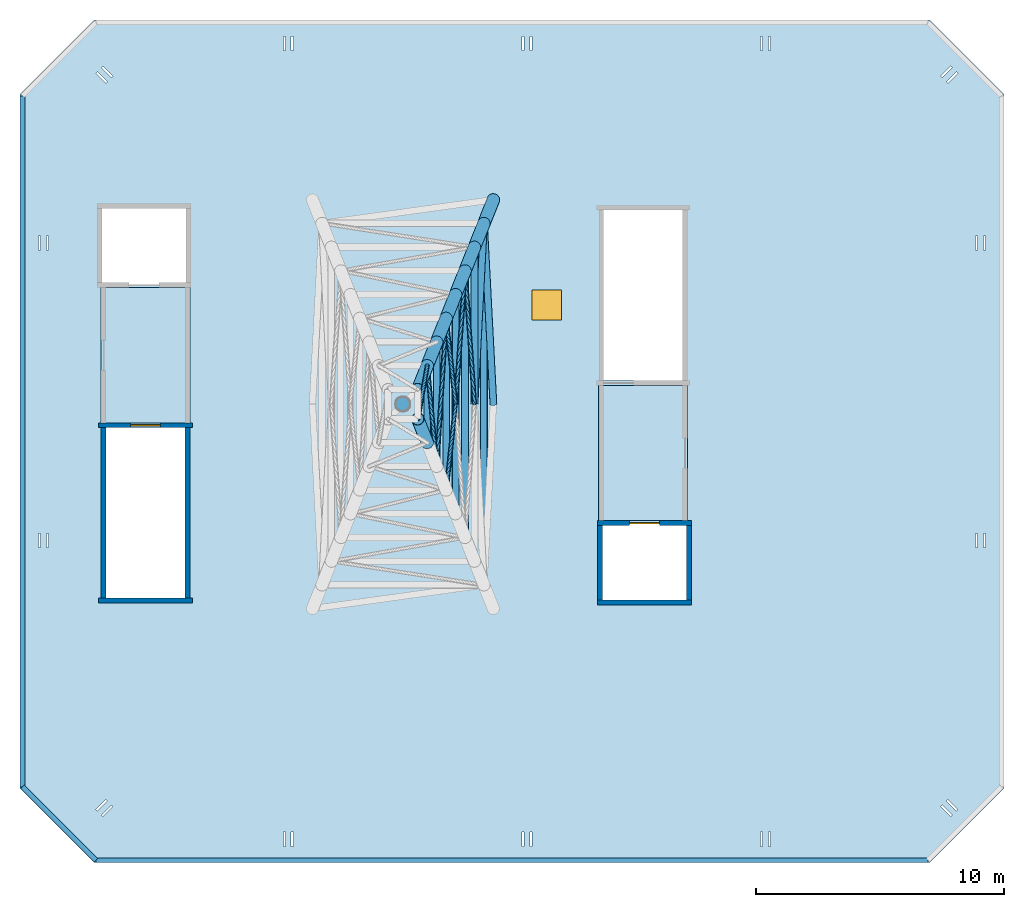
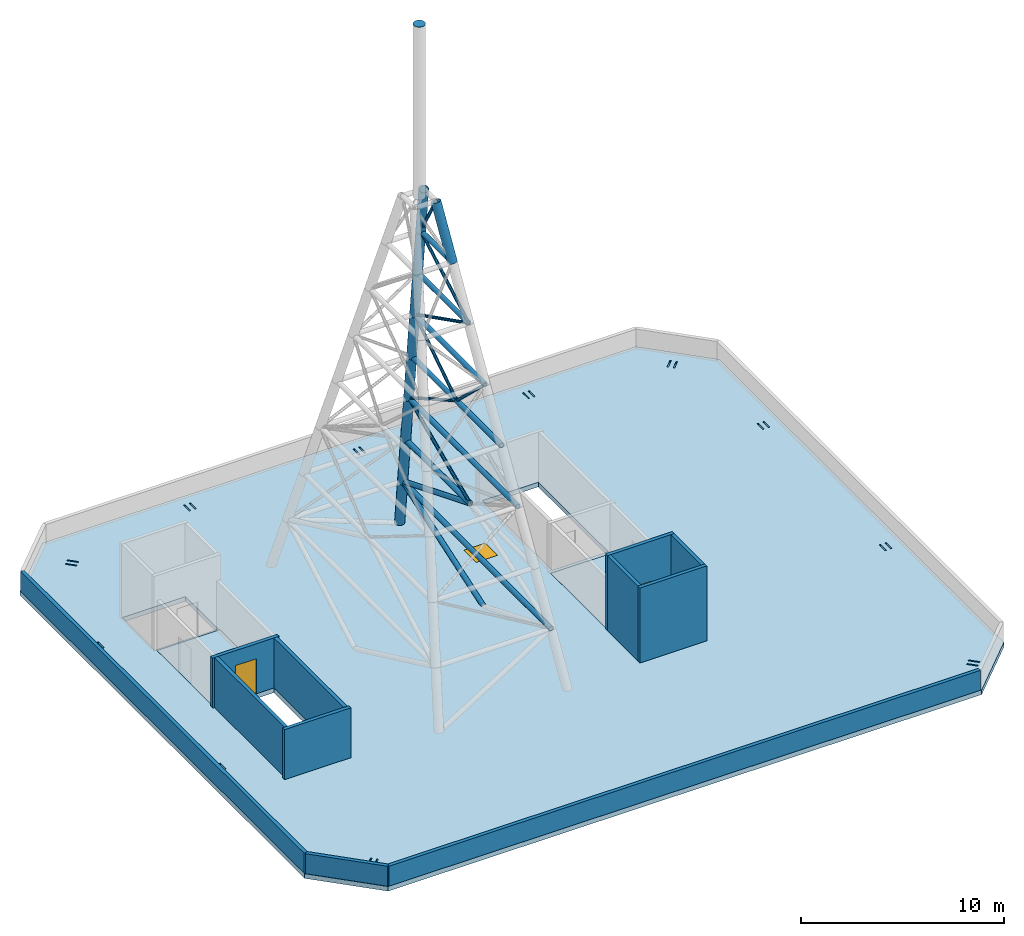
# One storey, part 2 of 3: 27 members, 11 walls, 3 slabs, 2 doors, 1 window, 3 openings.
"""IFC4 building model written with IfcOpenShell, lengths in metres."""

import ifcopenshell
import ifcopenshell.guid

model = None  # the IFC model being written
_history = None  # IfcOwnerHistory: only IFC2X3 demands one
_inside = {}  # id of a spatial element -> (the spatial element, [elements in it])
_under = {}  # id of a project, library or spatial element -> (it, [spatial elements below it])
_declared = {}  # id of a project -> (the project, [libraries it declares])
_typed = {}  # id of a type object -> (the type object, [elements of that type])
_made_of = {}  # id of a material, layer set ... -> (it, [elements and type objects made of it])


def new_model(schema):
    """Start an empty IFC model of exactly this schema.

    Asked for "IFC4X3", IfcOpenShell would pick the latest addendum, in which some entities
    have other attributes; the version numbers below select the first issue.
    IFC2X3 requires an IfcOwnerHistory on every rooted entity: one is made here for all.
    """
    global model, _history
    if schema == "IFC4X3":
        model = ifcopenshell.file(schema_version=(4, 3, 0, 0))
    else:
        model = ifcopenshell.file(schema=schema)
    _inside.clear()
    _under.clear()
    _declared.clear()
    _typed.clear()
    _made_of.clear()
    _history = None
    if model.schema == "IFC2X3":
        org = make("IfcOrganization", Name="unknown")
        user = make(
            "IfcPersonAndOrganization",
            ThePerson=make("IfcPerson", FamilyName="unknown"),
            TheOrganization=org,
        )
        app = make(
            "IfcApplication",
            ApplicationDeveloper=org,
            Version="unknown",
            ApplicationFullName="unknown",
            ApplicationIdentifier="unknown",
        )
        _history = make(
            "IfcOwnerHistory",
            OwningUser=user,
            OwningApplication=app,
            ChangeAction="ADDED",
            CreationDate=0,
        )
    return model


def make(cls, **values):
    """One entity of the class cls with the attributes given. An attribute that is None is left unset."""
    return model.create_entity(
        cls, **{name: value for name, value in values.items() if value is not None}
    )


def rooted(cls, **values):
    """An entity with a GlobalId (a new one), such as an element, a storey or a relation."""
    return make(cls, GlobalId=ifcopenshell.guid.new(), OwnerHistory=_history, **values)


def si_unit(unit_type, name, prefix=None):
    """IfcSIUnit, for example si_unit("LENGTHUNIT", "METRE", prefix="MILLI")."""
    return make("IfcSIUnit", UnitType=unit_type, Prefix=prefix, Name=name)


def assignment(units):
    """IfcUnitAssignment: the units of a project."""
    return None if units is None else make("IfcUnitAssignment", Units=units)


def point(xyz):
    """IfcCartesianPoint."""
    return None if xyz is None else make("IfcCartesianPoint", Coordinates=xyz)


def direction(xyz):
    """IfcDirection."""
    return None if xyz is None else make("IfcDirection", DirectionRatios=xyz)


def frame(location, z_axis=None, x_axis=None):
    """IfcAxis2Placement3D, a coordinate frame: its origin and axes. An axis left out is left unset."""
    return make(
        "IfcAxis2Placement3D",
        Location=point(location),
        Axis=direction(z_axis),
        RefDirection=direction(x_axis),
    )


def frame_2d(location, x_axis=None):
    """IfcAxis2Placement2D, a coordinate frame in the plane: its origin and x axis."""
    return make(
        "IfcAxis2Placement2D", Location=point(location), RefDirection=direction(x_axis)
    )


def origin():
    """The frame at (0, 0, 0) with its axes left unset."""
    return frame((0.0, 0.0, 0.0))


def origin_2d():
    """The frame at (0, 0) in the plane with its x axis left unset."""
    return frame_2d((0.0, 0.0))


def place(relative_to, where):
    """IfcLocalPlacement: puts the frame where relative to a parent placement (None: the world)."""
    return make(
        "IfcLocalPlacement", PlacementRelTo=relative_to, RelativePlacement=where
    )


def context(
    kind, dimensions, precision=None, world=None, true_north=None, identifier=None
):
    """IfcGeometricRepresentationContext, for example the 3D "Model" context."""
    return make(
        "IfcGeometricRepresentationContext",
        ContextIdentifier=identifier,
        ContextType=kind,
        CoordinateSpaceDimension=dimensions,
        Precision=precision,
        WorldCoordinateSystem=world,
        TrueNorth=true_north,
    )


def subcontext(parent, identifier, kind, view, scale=None):
    """IfcGeometricRepresentationSubContext, for example "Body" below "Model"."""
    return make(
        "IfcGeometricRepresentationSubContext",
        ContextIdentifier=identifier,
        ContextType=kind,
        ParentContext=parent,
        TargetScale=scale,
        TargetView=view,
    )


def project(units=None, contexts=None):
    """IfcProject with its units and contexts."""
    return rooted(
        "IfcProject",
        Name="project",
        RepresentationContexts=contexts,
        UnitsInContext=assignment(units),
    )


def spatial(cls, under=None, at=None, **own):
    """A site, building, storey or space (cls), placed at a placement, below another one or the project."""
    s = rooted(cls, ObjectPlacement=at, **own)
    if under is not None:
        _under.setdefault(under.id(), (under, []))[1].append(s)
    return s


def polyline(points):
    """IfcPolyline through the points."""
    return make("IfcPolyline", Points=[point(p) for p in points])


def profile(cls, at=None, kind="AREA", **sizes):
    """A parametric profile (cls). Its sizes go by their IFC names, for example OverallWidth=200.0."""
    return make(cls, ProfileType=kind, Position=at, **sizes)


def rectangle(**sizes):
    """IfcRectangleProfileDef."""
    return profile("IfcRectangleProfileDef", **sizes)


def circle(**sizes):
    """IfcCircleProfileDef."""
    return profile("IfcCircleProfileDef", **sizes)


def hollow_circle(**sizes):
    """IfcCircleHollowProfileDef."""
    return profile("IfcCircleHollowProfileDef", **sizes)


def outline(outer, holes=None, kind="AREA"):
    """IfcArbitraryClosedProfileDef: a profile drawn as a closed curve; with holes, ...WithVoids."""
    if holes is None:
        return make("IfcArbitraryClosedProfileDef", ProfileType=kind, OuterCurve=outer)
    return make(
        "IfcArbitraryProfileDefWithVoids",
        ProfileType=kind,
        OuterCurve=outer,
        InnerCurves=holes,
    )


def extrude(swept, where, along, depth):
    """IfcExtrudedAreaSolid: the profile swept, set in the frame where, extruded along a direction by depth."""
    return make(
        "IfcExtrudedAreaSolid",
        SweptArea=swept,
        Position=where,
        ExtrudedDirection=direction(along),
        Depth=depth,
    )


def shape(context_of_items, identifier, shape_type, items):
    """IfcShapeRepresentation: the items that make up one representation, for example the "Body"."""
    return make(
        "IfcShapeRepresentation",
        ContextOfItems=context_of_items,
        RepresentationIdentifier=identifier,
        RepresentationType=shape_type,
        Items=items,
    )


def material(Name=None, Category=None):
    """IfcMaterial."""
    return make("IfcMaterial", Name=Name, Category=Category)


def layer(
    of_material, thickness, ventilated=None, Name=None, Category=None, Priority=None
):
    """IfcMaterialLayer: one layer of a wall or slab, of a material (None: an air gap)."""
    return make(
        "IfcMaterialLayer",
        Material=of_material,
        LayerThickness=thickness,
        IsVentilated=ventilated,
        Name=Name,
        Category=Category,
        Priority=Priority,
    )


def layer_set(layers, Name=None):
    """IfcMaterialLayerSet."""
    return make("IfcMaterialLayerSet", MaterialLayers=layers, LayerSetName=Name)


def constituent(of_material, Name=None, Category=None, fraction=None):
    """IfcMaterialConstituent: one of the materials an element consists of."""
    return make(
        "IfcMaterialConstituent",
        Name=Name,
        Material=of_material,
        Fraction=fraction,
        Category=Category,
    )


def constituent_set(constituents=None, Name=None):
    """IfcMaterialConstituentSet."""
    return make(
        "IfcMaterialConstituentSet", Name=Name, MaterialConstituents=constituents
    )


def material_profile(
    of_material, cross_section, Name=None, Category=None, Priority=None
):
    """IfcMaterialProfile: a cross section and its material."""
    return make(
        "IfcMaterialProfile",
        Name=Name,
        Material=of_material,
        Profile=cross_section,
        Priority=Priority,
        Category=Category,
    )


def profile_set(profiles, Name=None, composite=None):
    """IfcMaterialProfileSet."""
    return make(
        "IfcMaterialProfileSet",
        Name=Name,
        MaterialProfiles=profiles,
        CompositeProfile=composite,
    )


def made_of(thing, what):
    """Note that an element or type object is made of a material, layer set ...; save() writes the relation."""
    if what is not None:
        _made_of.setdefault(what.id(), (what, []))[1].append(thing)
    return thing


def type_object(cls, material=None, **own):
    """A type object (cls), such as IfcWallType, which elements share."""
    return made_of(rooted(cls, **own), material)


def element(
    cls,
    number,
    at=None,
    inside=None,
    cuts=None,
    type_object=None,
    material=None,
    context=None,
    identifier="Body",
    shape_type=None,
    held_by="IfcProductDefinitionShape",
    body=None,
    shapes=None,
    **own,
):
    """One element of the class cls, such as IfcWall. Its Tag is "e" and its number.

    at: its placement. inside: the storey or other place that contains it. cuts: it is an
    opening in that element (IfcRelVoidsElement). A single representation is given by context,
    identifier, shape_type and body (its items); several are given by shapes. held_by: the class
    of the entity that holds the representations. save() writes the other relations.
    """
    e = rooted(cls, Tag="e%d" % number, ObjectPlacement=at, **own)
    if body is not None:
        shapes = [shape(context, identifier, shape_type, body)]
    if shapes is not None:
        e.Representation = make(held_by, Representations=shapes)
    if inside is not None:
        _inside.setdefault(inside.id(), (inside, []))[1].append(e)
    if cuts is not None:
        rooted(
            "IfcRelVoidsElement", RelatingBuildingElement=cuts, RelatedOpeningElement=e
        )
    if type_object is not None:
        _typed.setdefault(type_object.id(), (type_object, []))[1].append(e)
    return made_of(e, material)


def fill(opening, filler):
    """IfcRelFillsElement: the door or window that sits in an opening."""
    return rooted(
        "IfcRelFillsElement",
        RelatingOpeningElement=opening,
        RelatedBuildingElement=filler,
    )


def aggregate(whole, parts):
    """IfcRelAggregates: a whole, such as a stair, and the parts it consists of."""
    return rooted("IfcRelAggregates", RelatingObject=whole, RelatedObjects=parts)


def save(model, path):
    """Write the relations noted so far, then the file.

    IfcRelAggregates (storeys below a building ...), IfcRelContainedInSpatialStructure (elements
    in a storey), IfcRelDefinesByType, IfcRelAssociatesMaterial and IfcRelDeclares: one each for
    every whole, place, type object, material and project.
    """
    for whole, parts in _under.values():
        aggregate(whole, parts)
    for where, things in _inside.values():
        rooted(
            "IfcRelContainedInSpatialStructure",
            RelatedElements=things,
            RelatingStructure=where,
        )
    for kind, things in _typed.values():
        rooted("IfcRelDefinesByType", RelatedObjects=things, RelatingType=kind)
    for what, things in _made_of.values():
        rooted("IfcRelAssociatesMaterial", RelatedObjects=things, RelatingMaterial=what)
    for by, libraries in _declared.values():
        rooted("IfcRelDeclares", RelatingContext=by, RelatedDefinitions=libraries)
    model.write(path)


model = new_model("IFC4")

# Units and contexts
model_context = context("Model", 3, precision=1e-05, world=origin(), true_north=direction((0.0, 1.0)))
body_context = subcontext(model_context, "Body", "Model", "MODEL_VIEW")
ifc_project = project(units=[si_unit("LENGTHUNIT", "METRE"), si_unit("AREAUNIT", "SQUARE_METRE"), si_unit("VOLUMEUNIT", "CUBIC_METRE"), si_unit("PLANEANGLEUNIT", "RADIAN"), si_unit("MASSUNIT", "GRAM", prefix="KILO")], contexts=[model_context])

# Site, building, storey
site_placement = place(None, origin())
site = spatial("IfcSite", under=ifc_project, at=site_placement, CompositionType="ELEMENT")
building_placement = place(site_placement, origin())
building = spatial("IfcBuilding", under=site, at=building_placement, Name="Jalousie Tower", CompositionType="ELEMENT")
storey_placement = place(building_placement, frame((0.0, 0.0, 277.75)))
storey = spatial("IfcBuildingStorey", under=building, at=storey_placement, Name="RF", CompositionType="ELEMENT", Elevation=277.75)

# Members
ifc_material_1 = material(Name="Steel ASTM A572 Grade 50 plate", Category="steel")
ifc_material_profile_1 = material_profile(ifc_material_1, circle(Radius=0.3046875, at=origin_2d()), Name="END PLATE D610x20")
ifc_profile_set_1 = profile_set([ifc_material_profile_1], Name="Steel ASTM A572 Grade 50 plate")
member_type_1 = type_object("IfcMemberType", Name="END PLATE D610x20", PredefinedType="MEMBER", material=ifc_profile_set_1)
member_1_placement = place(storey_placement, frame((32.25, 18.5, 36.199951171875), z_axis=(0.0, 0.0, 1.0), x_axis=(1.0, 0.0, 0.0)))
element("IfcMember", 1, at=member_1_placement, inside=storey, type_object=member_type_1, Name="Spire mast cap plate", PredefinedType="MEMBER", context=body_context, shape_type="SweptSolid", body=[
    extrude(circle(Radius=0.3046875, at=origin_2d()), origin(), (0.0, 0.0, 1.0), 0.02001953125),
])
ifc_material_2 = material(Name="Steel ASTM A500 Grade C", Category="steel")
ifc_material_profile_2 = material_profile(ifc_material_2, hollow_circle(Radius=0.136474609375, WallThickness=0.0126953125, at=origin_2d()), Name="HSS10.750X0.500")
ifc_profile_set_2 = profile_set([ifc_material_profile_2], Name="Steel ASTM A500 Grade C")
member_type_2 = type_object("IfcMemberType", Name="SPIRE BRACE HSS10.750X0.500", PredefinedType="BRACE", material=ifc_profile_set_2)
for number, where, z_axis, x_axis, name in (
    (2, (35.89990234375, 18.5, -0.02587890625), (-0.047749788105, 0.913853247694, 0.403227230497), (-0.99863770294, -0.052179864579, 0.0), "Spire brace 1 face 2"),
    (3, (35.518798828125, 25.793701171875, 3.1923828125), (-0.047780896853, -0.913863184042, 0.403201025234), (0.998635960535, -0.052213200681, 0.0), "Spire brace 2 face 2"),
):
    element("IfcMember", number, at=place(storey_placement, frame(where, z_axis=z_axis, x_axis=x_axis)), inside=storey, type_object=member_type_2, Name=name, PredefinedType="BRACE", context=body_context, shape_type="SweptSolid", body=[
        extrude(hollow_circle(Radius=0.136474609375, WallThickness=0.0126953125, at=origin_2d()), origin(), (0.0, 0.0, 1.0), 7.981201171875),
    ])
ifc_material_3 = material(Name="Steel ASTM A500 Grade C", Category="steel")
ifc_material_profile_3 = material_profile(ifc_material_3, hollow_circle(Radius=0.084228515625, WallThickness=0.007080078125, at=origin_2d()), Name="HSS6.625X0.280")
ifc_profile_set_3 = profile_set([ifc_material_profile_3], Name="Steel ASTM A500 Grade C")
member_type_3 = type_object("IfcMemberType", Name="SPIRE BRACE HSS6.625X0.280", PredefinedType="BRACE", material=ifc_profile_set_3)
member_2_placement = place(storey_placement, frame((35.137451171875, 18.5, 6.410400390625), z_axis=(-0.060666415195, 0.85663620995, 0.512341672978), x_axis=(-0.997501703705, -0.07064241718, 0.0)))
element("IfcMember", 4, at=member_2_placement, inside=storey, type_object=member_type_3, Name="Spire brace 3 face 2", PredefinedType="BRACE", context=body_context, shape_type="SweptSolid", body=[
    extrude(hollow_circle(Radius=0.084228515625, WallThickness=0.007080078125, at=origin_2d()), origin(), (0.0, 0.0, 1.0), 6.281982421875),
])
member_3_placement = place(storey_placement, frame((34.75634765625, 23.88134765625, 9.62890625), z_axis=(-0.060707553255, -0.856668302716, 0.512283136653), x_axis=(0.997498513792, -0.070687445719, 0.0)))
element("IfcMember", 5, at=member_3_placement, inside=storey, type_object=member_type_3, Name="Spire brace 4 face 2", PredefinedType="BRACE", context=body_context, shape_type="SweptSolid", body=[
    extrude(hollow_circle(Radius=0.084228515625, WallThickness=0.007080078125, at=origin_2d()), origin(), (0.0, 0.0, 1.0), 6.28173828125),
])
for number, where, z_axis, x_axis, name in (
    (6, (34.375, 18.5, 12.846923828125), (-0.080332935839, -0.730710853006, 0.677944148672), (0.994011045369, -0.109279648991, 0.0), "Spire brace 5 face 2"),
    (7, (34.375, 18.5, 12.846923828125), (-0.080332935839, 0.730710853006, 0.677944148672), (-0.994011045369, -0.109279648991, 0.0), "Spire brace 5 face 2"),
):
    element("IfcMember", number, at=place(storey_placement, frame(where, z_axis=z_axis, x_axis=x_axis)), inside=storey, type_object=member_type_3, Name=name, PredefinedType="BRACE", context=body_context, shape_type="SweptSolid", body=[
        extrude(hollow_circle(Radius=0.084228515625, WallThickness=0.007080078125, at=origin_2d()), origin(), (0.0, 0.0, 1.0), 4.7470703125),
    ])
member_4_placement = place(storey_placement, frame((33.99365234375, 21.96875, 16.065185546875), z_axis=(-0.056022094751, -0.879234656832, 0.473083442033), x_axis=(0.997976239224, -0.063587938668, 0.0)))
element("IfcMember", 8, at=member_4_placement, inside=storey, type_object=member_type_3, Name="Spire brace 6 face 2", PredefinedType="BRACE", context=body_context, shape_type="SweptSolid", body=[
    extrude(hollow_circle(Radius=0.084228515625, WallThickness=0.007080078125, at=origin_2d()), origin(), (0.0, 0.0, 1.0), 6.802734375),
])
member_5_placement = place(storey_placement, frame((33.612548828125, 15.987548828125, 19.283447265625), z_axis=(-0.07331147969, 0.782208143731, 0.618688812592), x_axis=(-0.995636654672, -0.093314799868, 0.0)))
element("IfcMember", 9, at=member_5_placement, inside=storey, type_object=member_type_3, Name="Spire brace 7 face 2", PredefinedType="BRACE", context=body_context, shape_type="SweptSolid", body=[
    extrude(hollow_circle(Radius=0.084228515625, WallThickness=0.007080078125, at=origin_2d()), origin(), (0.0, 0.0, 1.0), 5.20166015625),
])
member_6_placement = place(storey_placement, frame((33.231201171875, 20.056396484375, 22.501708984375), z_axis=(-0.097902742224, -0.553987778388, 0.826748204994), x_axis=(0.984740880805, -0.17402700271, 0.0)))
element("IfcMember", 10, at=member_6_placement, inside=storey, type_object=member_type_3, Name="Spire brace 8 face 2", PredefinedType="BRACE", context=body_context, shape_type="SweptSolid", body=[
    extrude(hollow_circle(Radius=0.084228515625, WallThickness=0.007080078125, at=origin_2d()), origin(), (0.0, 0.0, 1.0), 3.892578125),
])
ifc_material_4 = material(Name="Steel ASTM A500 Grade C", Category="steel")
ifc_material_profile_4 = material_profile(ifc_material_4, hollow_circle(Radius=0.25390625, WallThickness=0.0126953125, at=origin_2d()), Name="HSS20X0.500")
ifc_profile_set_4 = profile_set([ifc_material_profile_4], Name="Steel ASTM A500 Grade C")
member_type_4 = type_object("IfcMemberType", Name="SPIRE LEG HSS20X0.500", PredefinedType="MEMBER", material=ifc_profile_set_4)
member_7_placement = place(storey_placement, frame((35.89990234375, 26.75, -0.02587890625), z_axis=(-0.112789272308, -0.283020871, 0.95245880049), x_axis=(0.928950250882, -0.370204580451, 0.0)))
element("IfcMember", 11, at=member_7_placement, inside=storey, type_object=member_type_4, Name="Spire leg 3 panel 1", PredefinedType="MEMBER", context=body_context, shape_type="SweptSolid", body=[
    extrude(hollow_circle(Radius=0.25390625, WallThickness=0.0126953125, at=origin_2d()), origin(), (0.0, 0.0, 1.0), 3.37890625),
])
member_8_placement = place(storey_placement, frame((35.518798828125, 25.793701171875, 3.1923828125), z_axis=(-0.112868374138, -0.283038041933, 0.952444327474), x_axis=(0.928868676272, -0.370409209174, 0.0)))
element("IfcMember", 12, at=member_8_placement, inside=storey, type_object=member_type_4, Name="Spire leg 3 panel 2", PredefinedType="MEMBER", context=body_context, shape_type="SweptSolid", body=[
    extrude(hollow_circle(Radius=0.25390625, WallThickness=0.0126953125, at=origin_2d()), origin(), (0.0, 0.0, 1.0), 3.378662109375),
])
member_9_placement = place(storey_placement, frame((35.137451171875, 24.83740234375, 6.410400390625), z_axis=(-0.112783816509, -0.28293492982, 0.952484979525), x_axis=(0.928917737212, -0.370286156228, 0.0)))
element("IfcMember", 13, at=member_9_placement, inside=storey, type_object=member_type_4, Name="Spire leg 3 panel 3", PredefinedType="MEMBER", context=body_context, shape_type="SweptSolid", body=[
    extrude(hollow_circle(Radius=0.25390625, WallThickness=0.0126953125, at=origin_2d()), origin(), (0.0, 0.0, 1.0), 3.379150390625),
])
member_10_placement = place(storey_placement, frame((34.75634765625, 23.88134765625, 9.62890625), z_axis=(-0.112868374138, -0.283038041933, 0.952444327474), x_axis=(0.928868676272, -0.370409209174, 0.0)))
element("IfcMember", 14, at=member_10_placement, inside=storey, type_object=member_type_4, Name="Spire leg 3 panel 4", PredefinedType="MEMBER", context=body_context, shape_type="SweptSolid", body=[
    extrude(hollow_circle(Radius=0.25390625, WallThickness=0.0126953125, at=origin_2d()), origin(), (0.0, 0.0, 1.0), 3.378662109375),
])
for number, where, z_axis, x_axis, name in (
    (15, (34.375, 22.925048828125, 12.846923828125), (-0.112860606755, -0.283018563801, 0.952451036005), (0.928868676272, -0.370409209174, 0.0), "Spire leg 3 panel 5"),
    (16, (33.99365234375, 21.96875, 16.065185546875), (-0.112789272308, -0.283020871, 0.95245880049), (0.928950250882, -0.370204580451, 0.0), "Spire leg 3 panel 6"),
    (17, (33.612548828125, 21.012451171875, 19.283447265625), (-0.11286291444, -0.282952095356, 0.952470510976), (0.928836129508, -0.370490815703, 0.0), "Spire leg 3 panel 7"),
    (18, (33.231201171875, 16.943603515625, 22.501708984375), (-0.112789272308, 0.283020871, 0.95245880049), (-0.928950250882, -0.370204580451, 0.0), "Spire leg 2 panel 8"),
    (19, (33.231201171875, 20.056396484375, 22.501708984375), (-0.112789272308, -0.283020871, 0.95245880049), (0.928950250882, -0.370204580451, 0.0), "Spire leg 3 panel 8"),
):
    element("IfcMember", number, at=place(storey_placement, frame(where, z_axis=z_axis, x_axis=x_axis)), inside=storey, type_object=member_type_4, Name=name, PredefinedType="MEMBER", context=body_context, shape_type="SweptSolid", body=[
        extrude(hollow_circle(Radius=0.25390625, WallThickness=0.0126953125, at=origin_2d()), origin(), (0.0, 0.0, 1.0), 3.37890625),
    ])
ifc_material_5 = material(Name="Steel ASTM A500 Grade C", Category="steel")
ifc_material_profile_5 = material_profile(ifc_material_5, hollow_circle(Radius=0.136474609375, WallThickness=0.0126953125, at=origin_2d()), Name="HSS10.750X0.500")
ifc_profile_set_5 = profile_set([ifc_material_profile_5], Name="Steel ASTM A500 Grade C")
member_type_5 = type_object("IfcMemberType", Name="SPIRE RING HSS10.750X0.500", PredefinedType="STRUT", material=ifc_profile_set_5)
member_11_placement = place(storey_placement, frame((35.518798828125, 11.206298828125, 3.1923828125), z_axis=(0.0, 1.0, 0.0), x_axis=(-1.0, 0.0, 0.0)))
element("IfcMember", 20, at=member_11_placement, inside=storey, type_object=member_type_5, Name="Spire ring 1 side 2", PredefinedType="STRUT", context=body_context, shape_type="SweptSolid", body=[
    extrude(hollow_circle(Radius=0.136474609375, WallThickness=0.0126953125, at=origin_2d()), origin(), (0.0, 0.0, 1.0), 14.58740234375),
])
member_12_placement = place(storey_placement, frame((35.137451171875, 18.5, 6.410400390625), z_axis=(0.0, 1.0, 0.0), x_axis=(-1.0, 0.0, 0.0)))
element("IfcMember", 21, at=member_12_placement, inside=storey, type_object=member_type_5, Name="Spire ring 2 side 2", PredefinedType="STRUT", context=body_context, shape_type="SweptSolid", body=[
    extrude(hollow_circle(Radius=0.136474609375, WallThickness=0.0126953125, at=origin_2d()), origin(), (0.0, 0.0, 1.0), 6.33740234375),
])
member_13_placement = place(storey_placement, frame((34.75634765625, 13.11865234375, 9.62890625), z_axis=(0.0, 1.0, 0.0), x_axis=(-1.0, 0.0, 0.0)))
element("IfcMember", 22, at=member_13_placement, inside=storey, type_object=member_type_5, Name="Spire ring 3 side 2", PredefinedType="STRUT", context=body_context, shape_type="SweptSolid", body=[
    extrude(hollow_circle(Radius=0.136474609375, WallThickness=0.0126953125, at=origin_2d()), origin(), (0.0, 0.0, 1.0), 10.7626953125),
])
for number, where, z_axis, x_axis, name in (
    (23, (34.375, 14.074951171875, 12.846923828125), (0.0, 1.0, 0.0), (-1.0, 0.0, 0.0), "Spire ring 4 side 2"),
    (24, (34.375, 18.5, 12.846923828125), (0.0, 1.0, 0.0), (-1.0, 0.0, 0.0), "Spire ring 4 side 2"),
):
    element("IfcMember", number, at=place(storey_placement, frame(where, z_axis=z_axis, x_axis=x_axis)), inside=storey, type_object=member_type_5, Name=name, PredefinedType="STRUT", context=body_context, shape_type="SweptSolid", body=[
        extrude(hollow_circle(Radius=0.136474609375, WallThickness=0.0126953125, at=origin_2d()), origin(), (0.0, 0.0, 1.0), 4.425048828125),
    ])
member_14_placement = place(storey_placement, frame((33.99365234375, 15.03125, 16.065185546875), z_axis=(0.0, 1.0, 0.0), x_axis=(-1.0, 0.0, 0.0)))
element("IfcMember", 25, at=member_14_placement, inside=storey, type_object=member_type_5, Name="Spire ring 5 side 2", PredefinedType="STRUT", context=body_context, shape_type="SweptSolid", body=[
    extrude(hollow_circle(Radius=0.136474609375, WallThickness=0.0126953125, at=origin_2d()), origin(), (0.0, 0.0, 1.0), 6.9375),
])
member_15_placement = place(storey_placement, frame((33.612548828125, 15.987548828125, 19.283447265625), z_axis=(0.0, 1.0, 0.0), x_axis=(-1.0, 0.0, 0.0)))
element("IfcMember", 26, at=member_15_placement, inside=storey, type_object=member_type_5, Name="Spire ring 6 side 2", PredefinedType="STRUT", context=body_context, shape_type="SweptSolid", body=[
    extrude(hollow_circle(Radius=0.136474609375, WallThickness=0.0126953125, at=origin_2d()), origin(), (0.0, 0.0, 1.0), 5.02490234375),
])
member_16_placement = place(storey_placement, frame((33.231201171875, 16.943603515625, 22.501708984375), z_axis=(0.0, 1.0, 0.0), x_axis=(-1.0, 0.0, 0.0)))
element("IfcMember", 27, at=member_16_placement, inside=storey, type_object=member_type_5, Name="Spire ring 7 side 2", PredefinedType="STRUT", context=body_context, shape_type="SweptSolid", body=[
    extrude(hollow_circle(Radius=0.136474609375, WallThickness=0.0126953125, at=origin_2d()), origin(), (0.0, 0.0, 1.0), 3.11279296875),
])

# Slabs
ifc_material_6 = material(Name="Concrete f'c 40 MPa", Category="concrete")
ifc_layer_1 = layer(ifc_material_6, 0.280029296875)
ifc_layer_set_1 = layer_set([ifc_layer_1], Name="Concrete f'c 40 MPa")
slab_type_1 = type_object("IfcSlabType", Name="FLOOR SLAB 280", PredefinedType="FLOOR", material=ifc_layer_set_1)
slab_1_placement = place(storey_placement, frame((0.0, 0.0, -0.280029296875)))
element("IfcSlab", 28, at=slab_1_placement, inside=storey, type_object=slab_type_1, Name="RF fire-fighting lobby floor slab", PredefinedType="FLOOR", context=body_context, shape_type="SweptSolid", body=[
    extrude(outline(polyline([(20.074951171875, 17.75), (23.64990234375, 17.75), (23.64990234375, 23.199951171875), (20.074951171875, 23.199951171875), (20.074951171875, 17.75)])), origin(), (0.0, 0.0, 1.0), 0.280029296875),
])
slab_2_placement = place(storey_placement, frame((0.0, 0.0, -0.280029296875)))
element("IfcSlab", 29, at=slab_2_placement, inside=storey, type_object=slab_type_1, Name="RF fire-fighting lobby B floor slab", PredefinedType="FLOOR", context=body_context, shape_type="SweptSolid", body=[
    extrude(outline(polyline([(40.14990234375, 13.800048828125), (43.72509765625, 13.800048828125), (43.72509765625, 19.25), (40.14990234375, 19.25), (40.14990234375, 13.800048828125)])), origin(), (0.0, 0.0, 1.0), 0.280029296875),
])

# Slab, opening, window
ifc_material_7 = material(Name="Concrete f'c 40 MPa", Category="concrete")
ifc_layer_2 = layer(ifc_material_7, 0.280029296875)
ifc_layer_set_2 = layer_set([ifc_layer_2], Name="Concrete f'c 40 MPa")
slab_type_2 = type_object("IfcSlabType", Name="ROOF SLAB 280", PredefinedType="ROOF", material=ifc_layer_set_2)
slab_3_placement = place(storey_placement, frame((0.0, 0.0, -0.280029296875)))
slab_3 = element("IfcSlab", 30, at=slab_3_placement, inside=storey, type_object=slab_type_2, Name="RF roof slab, maintenance access only", PredefinedType="ROOF", context=body_context, shape_type="SweptSolid", body=[
    extrude(outline(polyline([(19.800048828125, 0.0), (53.5, 0.0), (56.5, 3.0), (56.5, 31.0), (53.5, 34.0), (19.800048828125, 34.0), (16.800048828125, 31.0), (16.800048828125, 3.0), (19.800048828125, 0.0)]), holes=[polyline([(20.27490234375, 10.675048828125), (23.449951171875, 10.675048828125), (23.449951171875, 17.550048828125), (20.27490234375, 17.550048828125), (20.27490234375, 10.675048828125)]), polyline([(20.0, 23.300048828125), (23.60009765625, 23.300048828125), (23.60009765625, 26.5), (20.0, 26.5), (20.0, 23.300048828125)]), polyline([(40.199951171875, 10.5), (43.800048828125, 10.5), (43.800048828125, 13.699951171875), (40.199951171875, 13.699951171875), (40.199951171875, 10.5)]), polyline([(40.35009765625, 19.449951171875), (43.52490234375, 19.449951171875), (43.52490234375, 26.324951171875), (40.35009765625, 26.324951171875), (40.35009765625, 19.449951171875)]), polyline([(27.425048828125, 0.663818359375), (27.425048828125, 1.236083984375), (27.507080078125, 1.236083984375), (27.507080078125, 0.663818359375), (27.425048828125, 0.663818359375)]), polyline([(27.824951171875, 0.663818359375), (27.742919921875, 0.663818359375), (27.742919921875, 1.236083984375), (27.824951171875, 1.236083984375), (27.824951171875, 0.663818359375)]), polyline([(37.050048828125, 1.236083984375), (37.132080078125, 1.236083984375), (37.132080078125, 0.663818359375), (37.050048828125, 0.663818359375), (37.050048828125, 1.236083984375)]), polyline([(20.146240234375, 1.86328125), (20.087890625, 1.92138671875), (20.492919921875, 2.326171875), (20.55078125, 2.26806640625), (20.146240234375, 1.86328125)]), polyline([(20.26806640625, 2.55078125), (20.326171875, 2.492919921875), (19.92138671875, 2.087890625), (19.86328125, 2.146240234375), (20.26806640625, 2.55078125)]), polyline([(17.550048828125, 13.2861328125), (17.632080078125, 13.2861328125), (17.632080078125, 12.7138671875), (17.550048828125, 12.7138671875), (17.550048828125, 13.2861328125)]), polyline([(17.949951171875, 12.7138671875), (17.867919921875, 12.7138671875), (17.867919921875, 13.2861328125), (17.949951171875, 13.2861328125), (17.949951171875, 12.7138671875)]), polyline([(17.550048828125, 24.7138671875), (17.550048828125, 25.2861328125), (17.632080078125, 25.2861328125), (17.632080078125, 24.7138671875), (17.550048828125, 24.7138671875)]), polyline([(17.949951171875, 24.7138671875), (17.867919921875, 24.7138671875), (17.867919921875, 25.2861328125), (17.949951171875, 25.2861328125), (17.949951171875, 24.7138671875)]), polyline([(19.86328125, 31.853759765625), (19.92138671875, 31.912109375), (20.326171875, 31.507080078125), (20.26806640625, 31.44921875), (19.86328125, 31.853759765625)]), polyline([(20.55078125, 31.73193359375), (20.492919921875, 31.673828125), (20.087890625, 32.07861328125), (20.146240234375, 32.13671875), (20.55078125, 31.73193359375)]), polyline([(27.425048828125, 33.336181640625), (27.507080078125, 33.336181640625), (27.507080078125, 32.763916015625), (27.425048828125, 32.763916015625), (27.425048828125, 33.336181640625)]), polyline([(27.824951171875, 32.763916015625), (27.742919921875, 32.763916015625), (27.742919921875, 33.336181640625), (27.824951171875, 33.336181640625), (27.824951171875, 32.763916015625)]), polyline([(37.050048828125, 33.336181640625), (37.132080078125, 33.336181640625), (37.132080078125, 32.763916015625), (37.050048828125, 32.763916015625), (37.050048828125, 33.336181640625)]), polyline([(37.449951171875, 1.236083984375), (37.449951171875, 0.663818359375), (37.367919921875, 0.663818359375), (37.367919921875, 1.236083984375), (37.449951171875, 1.236083984375)]), polyline([(46.675048828125, 1.236083984375), (46.757080078125, 1.236083984375), (46.757080078125, 0.663818359375), (46.675048828125, 0.663818359375), (46.675048828125, 1.236083984375)]), polyline([(47.074951171875, 0.663818359375), (46.992919921875, 0.663818359375), (46.992919921875, 1.236083984375), (47.074951171875, 1.236083984375), (47.074951171875, 0.663818359375)]), polyline([(53.94921875, 2.26806640625), (54.007080078125, 2.326171875), (54.412109375, 1.92138671875), (54.353759765625, 1.86328125), (53.94921875, 2.26806640625)]), polyline([(54.63671875, 2.146240234375), (54.57861328125, 2.087890625), (54.173828125, 2.492919921875), (54.23193359375, 2.55078125), (54.63671875, 2.146240234375)]), polyline([(55.35009765625, 13.2861328125), (55.43212890625, 13.2861328125), (55.43212890625, 12.7138671875), (55.35009765625, 12.7138671875), (55.35009765625, 13.2861328125)]), polyline([(55.75, 12.7138671875), (55.667724609375, 12.7138671875), (55.667724609375, 13.2861328125), (55.75, 13.2861328125), (55.75, 12.7138671875)]), polyline([(55.35009765625, 24.7138671875), (55.35009765625, 25.2861328125), (55.43212890625, 25.2861328125), (55.43212890625, 24.7138671875), (55.35009765625, 24.7138671875)]), polyline([(55.75, 24.7138671875), (55.667724609375, 24.7138671875), (55.667724609375, 25.2861328125), (55.75, 25.2861328125), (55.75, 24.7138671875)]), polyline([(54.23193359375, 31.44921875), (54.173828125, 31.507080078125), (54.57861328125, 31.912109375), (54.63671875, 31.853759765625), (54.23193359375, 31.44921875)]), polyline([(54.353759765625, 32.13671875), (54.412109375, 32.07861328125), (54.007080078125, 31.673828125), (53.94921875, 31.73193359375), (54.353759765625, 32.13671875)]), polyline([(37.449951171875, 32.763916015625), (37.367919921875, 32.763916015625), (37.367919921875, 33.336181640625), (37.449951171875, 33.336181640625), (37.449951171875, 32.763916015625)]), polyline([(46.675048828125, 33.336181640625), (46.757080078125, 33.336181640625), (46.757080078125, 32.763916015625), (46.675048828125, 32.763916015625), (46.675048828125, 33.336181640625)]), polyline([(47.074951171875, 32.763916015625), (46.992919921875, 32.763916015625), (46.992919921875, 33.336181640625), (47.074951171875, 33.336181640625), (47.074951171875, 32.763916015625)]), polyline([(20.074951171875, 17.75), (23.64990234375, 17.75), (23.64990234375, 23.199951171875), (20.074951171875, 23.199951171875), (20.074951171875, 17.75)]), polyline([(40.14990234375, 13.800048828125), (43.72509765625, 13.800048828125), (43.72509765625, 19.25), (40.14990234375, 19.25), (40.14990234375, 13.800048828125)])]), origin(), (0.0, 0.0, 1.0), 0.280029296875),
])
opening_1_placement = place(slab_3_placement, frame((38.050048828125, 22.5, 0.0)))
opening_1 = element("IfcOpeningElement", 31, at=opening_1_placement, cuts=slab_3, Name="Opening RH1", PredefinedType="OPENING", context=body_context, shape_type="SweptSolid", body=[
    extrude(rectangle(XDim=1.199951171875, YDim=1.199951171875, at=origin_2d()), origin(), (0.0, 0.0, 1.0), 0.280029296875),
])
ifc_material_8 = material(Name="Aluminium roof hatch", Category="aluminium")
window_type = type_object("IfcWindowType", Name="ROOF ACCESS HATCH 1200x1200", PartitioningType="SINGLE_PANEL", PredefinedType="SKYLIGHT", material=ifc_material_8)
window_placement = place(opening_1_placement, frame((0.0, 0.0, 0.22998046875)))
window = element("IfcWindow", 32, at=window_placement, inside=storey, type_object=window_type, Name="Roof access hatch", OverallHeight=1.199951171875, OverallWidth=1.199951171875, PartitioningType="SINGLE_PANEL", PredefinedType="SKYLIGHT", context=body_context, shape_type="SweptSolid", body=[
    extrude(rectangle(XDim=1.199951171875, YDim=1.199951171875, at=origin_2d()), origin(), (0.0, 0.0, 1.0), 0.050048828125),
])
fill(opening_1, window)

# Walls
ifc_material_9 = material(Name="Concrete f'c 40 MPa", Category="concrete")
ifc_layer_3 = layer(ifc_material_9, 0.199951171875)
ifc_layer_set_3 = layer_set([ifc_layer_3], Name="Concrete f'c 40 MPa")
wall_type_1 = type_object("IfcWallType", Name="PARAPET WALL 200", PredefinedType="PARAPET", material=ifc_layer_set_3)
wall_1_placement = place(storey_placement, frame((19.858642578125, 0.10009765625, 0.0), z_axis=(0.0, 0.0, 1.0), x_axis=(1.0, 0.0, 0.0)))
element("IfcWall", 33, at=wall_1_placement, inside=storey, type_object=wall_type_1, Name="Parapet Wall 200 RF", PredefinedType="PARAPET", context=body_context, shape_type="SweptSolid", body=[
    extrude(rectangle(XDim=33.582763671875, YDim=0.199951171875, at=frame_2d((16.79150390625, 0.0))), origin(), (0.0, 0.0, 1.0), 1.199951171875),
])
wall_2_placement = place(storey_placement, frame((16.89990234375, 30.94140625, 0.0), z_axis=(0.0, 0.0, 1.0), x_axis=(0.0, -1.0, 0.0)))
element("IfcWall", 34, at=wall_2_placement, inside=storey, type_object=wall_type_1, Name="Parapet Wall 200 RF", PredefinedType="PARAPET", context=body_context, shape_type="SweptSolid", body=[
    extrude(rectangle(XDim=27.8828125, YDim=0.199951171875, at=frame_2d((13.94140625, 0.0))), origin(), (0.0, 0.0, 1.0), 1.199951171875),
])
wall_3_placement = place(storey_placement, frame((16.89990234375, 3.05859375, 0.0), z_axis=(0.0, 0.0, 1.0), x_axis=(0.707135955267, -0.707077605902, 0.0)))
element("IfcWall", 35, at=wall_3_placement, inside=storey, type_object=wall_type_1, Name="Parapet Wall 200 RF", PredefinedType="PARAPET", context=body_context, shape_type="SweptSolid", body=[
    extrude(rectangle(XDim=4.18408203125, YDim=0.199951171875, at=frame_2d((2.092041015625, 0.0))), origin(), (0.0, 0.0, 1.0), 1.199951171875),
])
ifc_material_10 = material(Name="Concrete block ASTM C90", Category="concrete")
ifc_constituent_1 = constituent(ifc_material_10, Name="Body")
ifc_material_11 = material(Name="Render")
ifc_constituent_2 = constituent(ifc_material_11, Name="Finish")
ifc_constituent_set = constituent_set(constituents=[ifc_constituent_1, ifc_constituent_2])
wall_type_2 = type_object("IfcWallType", Name="STAIR WALL 200", PredefinedType="SOLIDWALL", material=ifc_constituent_set)
wall_4_placement = place(storey_placement, frame((19.97509765625, 10.574951171875, 0.0), z_axis=(0.0, 0.0, 1.0), x_axis=(1.0, 0.0, 0.0)))
element("IfcWall", 36, at=wall_4_placement, inside=storey, type_object=wall_type_2, Name="Stair A head house wall S", PredefinedType="SOLIDWALL", context=body_context, shape_type="SweptSolid", body=[
    extrude(rectangle(XDim=3.77490234375, YDim=0.199951171875, at=frame_2d((1.887451171875, 0.0))), origin(), (0.0, 0.0, 1.0), 3.0),
])
wall_5_placement = place(storey_placement, frame((23.550048828125, 10.675048828125, 0.0), z_axis=(0.0, 0.0, 1.0), x_axis=(0.0, 1.0, 0.0)))
element("IfcWall", 37, at=wall_5_placement, inside=storey, type_object=wall_type_2, Name="Stair A head house wall E", PredefinedType="SOLIDWALL", context=body_context, shape_type="SweptSolid", body=[
    extrude(rectangle(XDim=6.875, YDim=0.199951171875, at=frame_2d((3.4375, 0.0))), origin(), (0.0, 0.0, 1.0), 3.0),
])

# Wall, opening, door
wall_6_placement = place(storey_placement, frame((23.75, 17.64990234375, 0.0), z_axis=(0.0, 0.0, 1.0), x_axis=(-1.0, 0.0, 0.0)))
wall_6 = element("IfcWall", 38, at=wall_6_placement, inside=storey, type_object=wall_type_2, Name="Stair A head house wall N", PredefinedType="SOLIDWALL", context=body_context, shape_type="SweptSolid", body=[
    extrude(rectangle(XDim=3.77490234375, YDim=0.199951171875, at=frame_2d((1.887451171875, 0.0))), origin(), (0.0, 0.0, 1.0), 3.0),
])
opening_2_placement = place(wall_6_placement, frame((1.28759765625, 0.0, 0.0)))
opening_2 = element("IfcOpeningElement", 39, at=opening_2_placement, cuts=wall_6, Name="Opening D-EXT", PredefinedType="OPENING", context=body_context, shape_type="SweptSolid", body=[
    extrude(rectangle(XDim=1.199951171875, YDim=2.10009765625, at=frame_2d((0.60009765625, 1.050048828125))), frame((0.0, 0.10986328125, 0.0), z_axis=(0.0, -1.0, 0.0), x_axis=(1.0, 0.0, 0.0)), (0.0, 0.0, 1.0), 0.219970703125),
])
ifc_material_12 = material(Name="Steel door, 90 minute", Category="steel")
door_type_1 = type_object("IfcDoorType", Name="STAIR EXIT DOOR 1200x2100", OperationType="SINGLE_SWING_LEFT", PredefinedType="DOOR", material=ifc_material_12)
door_1_placement = place(opening_2_placement, frame((1.199951171875, 0.0, 0.0), z_axis=(0.0, 0.0, 1.0), x_axis=(-1.0, 0.0, 0.0)))
door_1 = element("IfcDoor", 40, at=door_1_placement, inside=storey, type_object=door_type_1, Name="Stair A roof lobby door", OperationType="SINGLE_SWING_LEFT", OverallHeight=2.10009765625, OverallWidth=1.199951171875, PredefinedType="DOOR", context=body_context, shape_type="SweptSolid", body=[
    extrude(rectangle(XDim=1.199951171875, YDim=2.10009765625, at=frame_2d((0.60009765625, 1.050048828125))), frame((0.0, 0.02490234375, 0.0), z_axis=(0.0, -1.0, 0.0), x_axis=(1.0, 0.0, 0.0)), (0.0, 0.0, 1.0), 0.050048828125),
])
fill(opening_2, door_1)

# Wall
wall_7_placement = place(storey_placement, frame((20.175048828125, 17.550048828125, 0.0), z_axis=(0.0, 0.0, 1.0), x_axis=(0.0, -1.0, 0.0)))
element("IfcWall", 41, at=wall_7_placement, inside=storey, type_object=wall_type_2, Name="Stair A head house wall W", PredefinedType="SOLIDWALL", context=body_context, shape_type="SweptSolid", body=[
    extrude(rectangle(XDim=6.875, YDim=0.199951171875, at=frame_2d((3.4375, 0.0))), origin(), (0.0, 0.0, 1.0), 3.0),
])

# Wall, opening, door
wall_8_placement = place(storey_placement, frame((40.10009765625, 13.699951171875, 0.0), z_axis=(0.0, 0.0, 1.0), x_axis=(1.0, 0.0, 0.0)))
wall_8 = element("IfcWall", 42, at=wall_8_placement, inside=storey, type_object=wall_type_2, Name="Lift F2 overrun wall N", PredefinedType="SOLIDWALL", context=body_context, shape_type="SweptSolid", body=[
    extrude(rectangle(XDim=3.7998046875, YDim=0.199951171875, at=frame_2d((1.89990234375, 0.0))), origin(), (0.0, 0.0, 1.0), 4.5),
])
opening_3_placement = place(wall_8_placement, frame((1.300048828125, 0.0, 0.0)))
opening_3 = element("IfcOpeningElement", 43, at=opening_3_placement, cuts=wall_8, Name="Opening LD2", PredefinedType="OPENING", context=body_context, shape_type="SweptSolid", body=[
    extrude(rectangle(XDim=1.199951171875, YDim=2.10009765625, at=frame_2d((0.60009765625, 1.050048828125))), frame((0.0, 0.10986328125, 0.0), z_axis=(0.0, -1.0, 0.0), x_axis=(1.0, 0.0, 0.0)), (0.0, 0.0, 1.0), 0.219970703125),
])
ifc_material_13 = material(Name="Steel lift landing door", Category="steel")
door_type_2 = type_object("IfcDoorType", Name="LIFT LANDING DOOR 1200", OperationType="SLIDING_TO_LEFT", PredefinedType="DOOR", material=ifc_material_13)
door_2_placement = place(opening_3_placement, origin())
door_2 = element("IfcDoor", 44, at=door_2_placement, inside=storey, type_object=door_type_2, Name="Lift F2 landing door", OperationType="SLIDING_TO_LEFT", OverallHeight=2.10009765625, OverallWidth=1.199951171875, PredefinedType="DOOR", context=body_context, shape_type="SweptSolid", body=[
    extrude(rectangle(XDim=1.199951171875, YDim=2.10009765625, at=frame_2d((0.60009765625, 1.050048828125))), frame((0.0, 0.02490234375, 0.0), z_axis=(0.0, -1.0, 0.0), x_axis=(1.0, 0.0, 0.0)), (0.0, 0.0, 1.0), 0.050048828125),
])
fill(opening_3, door_2)

# Walls
wall_9_placement = place(storey_placement, frame((43.800048828125, 13.60009765625, 0.0), z_axis=(0.0, 0.0, 1.0), x_axis=(0.0, -1.0, 0.0)))
element("IfcWall", 45, at=wall_9_placement, inside=storey, type_object=wall_type_2, Name="Lift F2 overrun wall E", PredefinedType="SOLIDWALL", context=body_context, shape_type="SweptSolid", body=[
    extrude(rectangle(XDim=3.0, YDim=0.199951171875, at=frame_2d((1.5, 0.0))), origin(), (0.0, 0.0, 1.0), 4.5),
])
wall_10_placement = place(storey_placement, frame((43.89990234375, 10.5, 0.0), z_axis=(0.0, 0.0, 1.0), x_axis=(-1.0, 0.0, 0.0)))
element("IfcWall", 46, at=wall_10_placement, inside=storey, type_object=wall_type_2, Name="Lift F2 overrun wall S", PredefinedType="SOLIDWALL", context=body_context, shape_type="SweptSolid", body=[
    extrude(rectangle(XDim=3.7998046875, YDim=0.199951171875, at=frame_2d((1.89990234375, 0.0))), origin(), (0.0, 0.0, 1.0), 4.5),
])
wall_11_placement = place(storey_placement, frame((40.199951171875, 10.60009765625, 0.0), z_axis=(0.0, 0.0, 1.0), x_axis=(0.0, 1.0, 0.0)))
element("IfcWall", 47, at=wall_11_placement, inside=storey, type_object=wall_type_2, Name="Lift F2 overrun wall W", PredefinedType="SOLIDWALL", context=body_context, shape_type="SweptSolid", body=[
    extrude(rectangle(XDim=3.0, YDim=0.199951171875, at=frame_2d((1.5, 0.0))), origin(), (0.0, 0.0, 1.0), 4.5),
])

save(model, "model.ifc")
